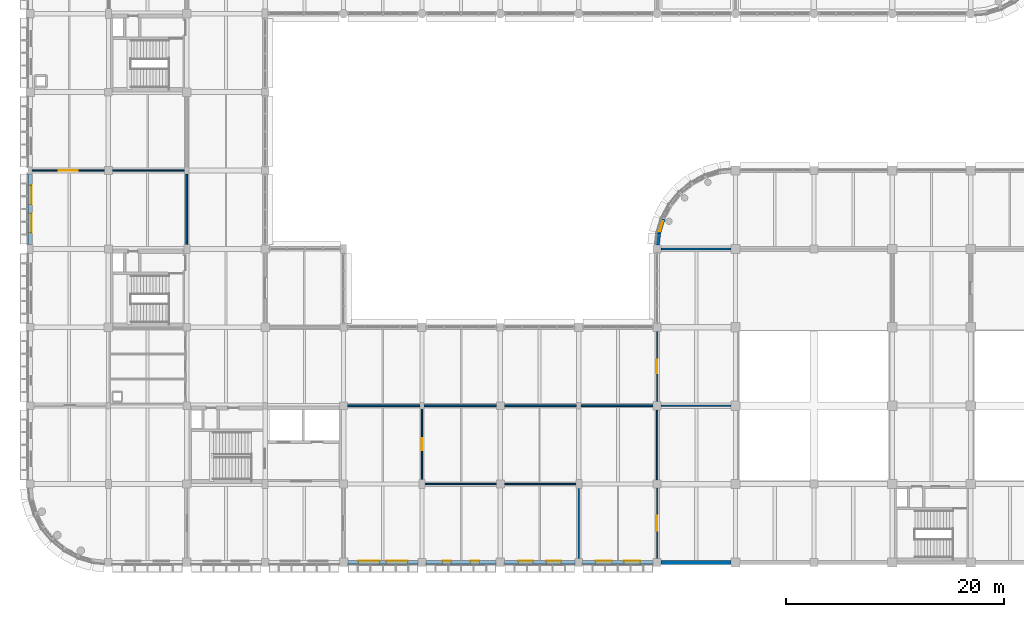
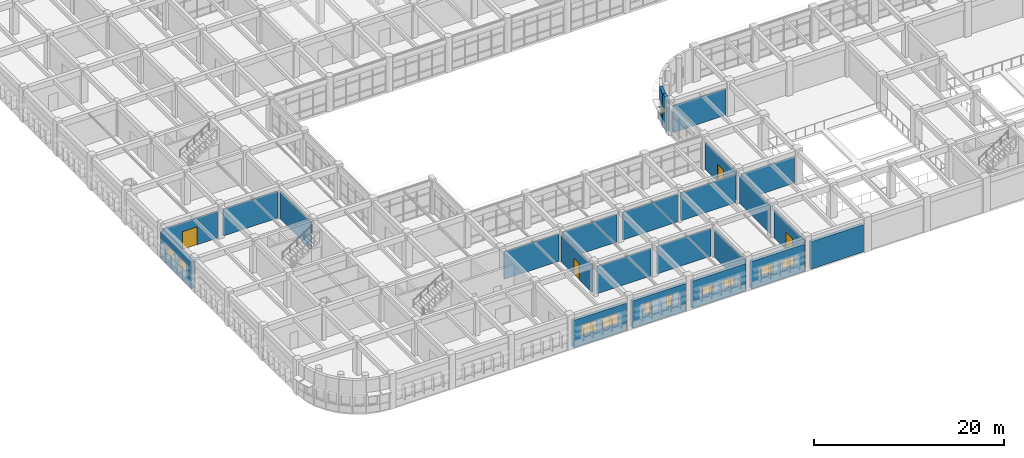
# One storey, part 149 of 171: 24 walls, 11 windows, 4 doors, 15 openings.
"""IFC4 building model written with IfcOpenShell, lengths in metres."""

from ifc_helpers import new_model, si_unit, direction, frame, frame_2d, origin, place, context, subcontext, project, spatial, rectangle, extrude, material, layer, layer_set, type_object, element, fill, save


model = new_model("IFC4")

# Units and contexts
model_context = context("Model", 3, precision=1e-05, world=origin(), true_north=direction((0.0, 1.0)))
body_context = subcontext(model_context, "Body", "Model", "MODEL_VIEW")
ifc_project = project(units=[si_unit("LENGTHUNIT", "METRE"), si_unit("AREAUNIT", "SQUARE_METRE"), si_unit("VOLUMEUNIT", "CUBIC_METRE"), si_unit("PLANEANGLEUNIT", "RADIAN"), si_unit("MASSUNIT", "GRAM", prefix="KILO")], contexts=[model_context])

# Site, building, storey
site_placement = place(None, origin())
site = spatial("IfcSite", under=ifc_project, at=site_placement, CompositionType="ELEMENT")
building_placement = place(site_placement, origin())
building = spatial("IfcBuilding", under=site, at=building_placement, Name="Thalmaran Polytechnic", CompositionType="ELEMENT")
storey_placement = place(building_placement, frame((0.0, 0.0, 5.39990234375)))
storey = spatial("IfcBuildingStorey", under=building, at=storey_placement, Name="L01", CompositionType="ELEMENT", Elevation=5.39990234375)

# Wall, openings, windows
ifc_material_1 = material(Name="Precast concrete C40/50", Category="concrete")
ifc_layer_1 = layer(ifc_material_1, 0.360107421875, Name="Precast concrete C40/50")
ifc_layer_set_1 = layer_set([ifc_layer_1], Name="Precast concrete C40/50")
wall_type_1 = type_object("IfcWallType", Name="WL-EW01", PredefinedType="STANDARD", material=ifc_layer_set_1)
wall_1_placement = place(storey_placement, frame((0.0, 29.22509765625, 0.0), z_axis=(0.0, 0.0, 1.0), x_axis=(0.0, 1.0, 0.0)))
wall_1 = element("IfcWall", 1, at=wall_1_placement, inside=storey, type_object=wall_type_1, Name="Exterior Precast Facade Wall L01-005", PredefinedType="STANDARD", context=body_context, shape_type="SweptSolid", body=[
    extrude(rectangle(XDim=6.474853515625, YDim=0.360107421875, at=frame_2d((3.2373046875, 0.0))), origin(), (0.0, 0.0, 1.0), 3.455078125),
])
opening_1_placement = place(wall_1_placement, frame((1.0673828125, 0.0, 1.14990234375)))
opening_1 = element("IfcOpeningElement", 2, at=opening_1_placement, cuts=wall_1, Name="Opening VW08", PredefinedType="OPENING", context=body_context, shape_type="SweptSolid", body=[
    extrude(rectangle(XDim=1.75, YDim=1.39990234375, at=frame_2d((0.875, 0.699951171875))), frame((0.0, 0.18994140625, 0.0), z_axis=(0.0, -1.0, 0.0), x_axis=(1.0, 0.0, 0.0)), (0.0, 0.0, 1.0), 0.380126953125),
])
opening_2_placement = place(wall_1_placement, frame((3.657470703125, 0.0, 1.14990234375)))
opening_2 = element("IfcOpeningElement", 3, at=opening_2_placement, cuts=wall_1, Name="Opening VW08", PredefinedType="OPENING", context=body_context, shape_type="SweptSolid", body=[
    extrude(rectangle(XDim=1.75, YDim=1.39990234375, at=frame_2d((0.875, 0.699951171875))), frame((0.0, 0.18994140625, 0.0), z_axis=(0.0, -1.0, 0.0), x_axis=(1.0, 0.0, 0.0)), (0.0, 0.0, 1.0), 0.380126953125),
])
ifc_material_2 = material(Name="Thermally broken aluminium and double low-E glass", Category="aluminium")
window_type_1 = type_object("IfcWindowType", Name="WN-VZ08", PartitioningType="SINGLE_PANEL", PredefinedType="WINDOW", material=ifc_material_2)
window_1_placement = place(opening_1_placement, origin())
window_1 = element("IfcWindow", 4, at=window_1_placement, inside=storey, type_object=window_type_1, Name="Deep-Set Solar-Screened Window W-0090", OverallHeight=1.39990234375, OverallWidth=1.75, PartitioningType="SINGLE_PANEL", PredefinedType="WINDOW", context=body_context, shape_type="SweptSolid", body=[
    extrude(rectangle(XDim=1.75, YDim=1.39990234375, at=frame_2d((0.875, 0.699951171875))), frame((0.0, -0.080078125, 0.0), z_axis=(0.0, -1.0, 0.0), x_axis=(1.0, 0.0, 0.0)), (0.0, 0.0, 1.0), 0.06005859375),
])
fill(opening_1, window_1)
window_2_placement = place(opening_2_placement, origin())
window_2 = element("IfcWindow", 5, at=window_2_placement, inside=storey, type_object=window_type_1, Name="Deep-Set Solar-Screened Window W-0091", OverallHeight=1.39990234375, OverallWidth=1.75, PartitioningType="SINGLE_PANEL", PredefinedType="WINDOW", context=body_context, shape_type="SweptSolid", body=[
    extrude(rectangle(XDim=1.75, YDim=1.39990234375, at=frame_2d((0.875, 0.699951171875))), frame((0.0, -0.080078125, 0.0), z_axis=(0.0, -1.0, 0.0), x_axis=(1.0, 0.0, 0.0)), (0.0, 0.0, 1.0), 0.06005859375),
])
fill(opening_2, window_2)

# Wall
wall_2_placement = place(storey_placement, frame((64.375, 0.0, 0.0), z_axis=(0.0, 0.0, 1.0), x_axis=(-1.0, 0.0, 0.0)))
element("IfcWall", 6, at=wall_2_placement, inside=storey, type_object=wall_type_1, Name="Exterior Precast Facade Wall L01-084", PredefinedType="STANDARD", context=body_context, shape_type="SweptSolid", body=[
    extrude(rectangle(XDim=6.39990234375, YDim=0.360107421875, at=frame_2d((3.199951171875, 0.0))), origin(), (0.0, 0.0, 1.0), 3.489990234375),
])

# Wall, openings, windows
wall_3_placement = place(storey_placement, frame((57.22509765625, 0.0, 0.0), z_axis=(0.0, 0.0, 1.0), x_axis=(-1.0, 0.0, 0.0)))
wall_3 = element("IfcWall", 7, at=wall_3_placement, inside=storey, type_object=wall_type_1, Name="Exterior Precast Facade Wall L01-085", PredefinedType="STANDARD", context=body_context, shape_type="SweptSolid", body=[
    extrude(rectangle(XDim=6.47509765625, YDim=0.360107421875, at=frame_2d((3.237548828125, 0.0))), origin(), (0.0, 0.0, 1.0), 3.489990234375),
])
opening_3_placement = place(wall_3_placement, frame((1.1923828125, 0.0, 1.14990234375)))
opening_3 = element("IfcOpeningElement", 8, at=opening_3_placement, cuts=wall_3, Name="Opening PW14", PredefinedType="OPENING", context=body_context, shape_type="SweptSolid", body=[
    extrude(rectangle(XDim=1.5, YDim=1.199951171875, at=frame_2d((0.75, 0.60009765625))), frame((0.0, 0.18994140625, 0.0), z_axis=(0.0, -1.0, 0.0), x_axis=(1.0, 0.0, 0.0)), (0.0, 0.0, 1.0), 0.380126953125),
])
opening_4_placement = place(wall_3_placement, frame((3.782470703125, 0.0, 1.14990234375)))
opening_4 = element("IfcOpeningElement", 9, at=opening_4_placement, cuts=wall_3, Name="Opening PW14", PredefinedType="OPENING", context=body_context, shape_type="SweptSolid", body=[
    extrude(rectangle(XDim=1.5, YDim=1.199951171875, at=frame_2d((0.75, 0.60009765625))), frame((0.0, 0.18994140625, 0.0), z_axis=(0.0, -1.0, 0.0), x_axis=(1.0, 0.0, 0.0)), (0.0, 0.0, 1.0), 0.380126953125),
])
window_type_2 = type_object("IfcWindowType", Name="WN-PW04", PartitioningType="DOUBLE_PANEL_VERTICAL", PredefinedType="WINDOW", material=ifc_material_2)
window_3_placement = place(opening_3_placement, origin())
window_3 = element("IfcWindow", 10, at=window_3_placement, inside=storey, type_object=window_type_2, Name="Deep-Set Solar-Screened Window W-0141", OverallHeight=1.199951171875, OverallWidth=1.5, PartitioningType="SINGLE_PANEL", PredefinedType="WINDOW", context=body_context, shape_type="SweptSolid", body=[
    extrude(rectangle(XDim=1.5, YDim=1.199951171875, at=frame_2d((0.75, 0.60009765625))), frame((0.0, -0.080078125, 0.0), z_axis=(0.0, -1.0, 0.0), x_axis=(1.0, 0.0, 0.0)), (0.0, 0.0, 1.0), 0.06005859375),
])
fill(opening_3, window_3)
window_4_placement = place(opening_4_placement, origin())
window_4 = element("IfcWindow", 11, at=window_4_placement, inside=storey, type_object=window_type_2, Name="Deep-Set Solar-Screened Window W-0142", OverallHeight=1.199951171875, OverallWidth=1.5, PartitioningType="SINGLE_PANEL", PredefinedType="WINDOW", context=body_context, shape_type="SweptSolid", body=[
    extrude(rectangle(XDim=1.5, YDim=1.199951171875, at=frame_2d((0.75, 0.60009765625))), frame((0.0, -0.080078125, 0.0), z_axis=(0.0, -1.0, 0.0), x_axis=(1.0, 0.0, 0.0)), (0.0, 0.0, 1.0), 0.06005859375),
])
fill(opening_4, window_4)

wall_4_placement = place(storey_placement, frame((50.050048828125, 0.0, 0.0), z_axis=(0.0, 0.0, 1.0), x_axis=(-1.0, 0.0, 0.0)))
wall_4 = element("IfcWall", 12, at=wall_4_placement, inside=storey, type_object=wall_type_1, Name="Exterior Precast Facade Wall L01-086", PredefinedType="STANDARD", context=body_context, shape_type="SweptSolid", body=[
    extrude(rectangle(XDim=6.4599609375, YDim=0.360107421875, at=frame_2d((3.22998046875, 0.0))), origin(), (0.0, 0.0, 1.0), 3.489990234375),
])
opening_5_placement = place(wall_4_placement, frame((1.262939453125, 0.0, 1.14990234375)))
opening_5 = element("IfcOpeningElement", 13, at=opening_5_placement, cuts=wall_4, Name="Opening PW15", PredefinedType="OPENING", context=body_context, shape_type="SweptSolid", body=[
    extrude(rectangle(XDim=1.35009765625, YDim=1.10009765625, at=frame_2d((0.675048828125, 0.550048828125))), frame((0.0, 0.18994140625, 0.0), z_axis=(0.0, -1.0, 0.0), x_axis=(1.0, 0.0, 0.0)), (0.0, 0.0, 1.0), 0.380126953125),
])
opening_6_placement = place(wall_4_placement, frame((3.846923828125, 0.0, 1.14990234375)))
opening_6 = element("IfcOpeningElement", 14, at=opening_6_placement, cuts=wall_4, Name="Opening PW15", PredefinedType="OPENING", context=body_context, shape_type="SweptSolid", body=[
    extrude(rectangle(XDim=1.35009765625, YDim=1.10009765625, at=frame_2d((0.675048828125, 0.550048828125))), frame((0.0, 0.18994140625, 0.0), z_axis=(0.0, -1.0, 0.0), x_axis=(1.0, 0.0, 0.0)), (0.0, 0.0, 1.0), 0.380126953125),
])
window_type_3 = type_object("IfcWindowType", Name="WN-PW05", PartitioningType="SINGLE_PANEL", PredefinedType="WINDOW", material=ifc_material_2)
window_5_placement = place(opening_5_placement, origin())
window_5 = element("IfcWindow", 15, at=window_5_placement, inside=storey, type_object=window_type_3, Name="Deep-Set Solar-Screened Window W-0143", OverallHeight=1.10009765625, OverallWidth=1.35009765625, PartitioningType="SINGLE_PANEL", PredefinedType="WINDOW", context=body_context, shape_type="SweptSolid", body=[
    extrude(rectangle(XDim=1.35009765625, YDim=1.10009765625, at=frame_2d((0.675048828125, 0.550048828125))), frame((0.0, -0.080078125, 0.0), z_axis=(0.0, -1.0, 0.0), x_axis=(1.0, 0.0, 0.0)), (0.0, 0.0, 1.0), 0.06005859375),
])
fill(opening_5, window_5)
window_6_placement = place(opening_6_placement, origin())
window_6 = element("IfcWindow", 16, at=window_6_placement, inside=storey, type_object=window_type_3, Name="Deep-Set Solar-Screened Window W-0144", OverallHeight=1.10009765625, OverallWidth=1.35009765625, PartitioningType="SINGLE_PANEL", PredefinedType="WINDOW", context=body_context, shape_type="SweptSolid", body=[
    extrude(rectangle(XDim=1.35009765625, YDim=1.10009765625, at=frame_2d((0.675048828125, 0.550048828125))), frame((0.0, -0.080078125, 0.0), z_axis=(0.0, -1.0, 0.0), x_axis=(1.0, 0.0, 0.0)), (0.0, 0.0, 1.0), 0.06005859375),
])
fill(opening_6, window_6)

wall_5_placement = place(storey_placement, frame((42.81005859375, 0.0, 0.0), z_axis=(0.0, 0.0, 1.0), x_axis=(-1.0, 0.0, 0.0)))
wall_5 = element("IfcWall", 17, at=wall_5_placement, inside=storey, type_object=wall_type_1, Name="Exterior Precast Facade Wall L01-087", PredefinedType="STANDARD", context=body_context, shape_type="SweptSolid", body=[
    extrude(rectangle(XDim=6.4599609375, YDim=0.360107421875, at=frame_2d((3.22998046875, 0.0))), origin(), (0.0, 0.0, 1.0), 3.489990234375),
])
opening_7_placement = place(wall_5_placement, frame((1.5380859375, 0.0, 1.14990234375)))
opening_7 = element("IfcOpeningElement", 18, at=opening_7_placement, cuts=wall_5, Name="Opening PW16", PredefinedType="OPENING", context=body_context, shape_type="SweptSolid", body=[
    extrude(rectangle(XDim=0.800048828125, YDim=1.5, at=frame_2d((0.39990234375, 0.75))), frame((0.0, 0.18994140625, 0.0), z_axis=(0.0, -1.0, 0.0), x_axis=(1.0, 0.0, 0.0)), (0.0, 0.0, 1.0), 0.380126953125),
])
opening_8_placement = place(wall_5_placement, frame((4.1220703125, 0.0, 1.14990234375)))
opening_8 = element("IfcOpeningElement", 19, at=opening_8_placement, cuts=wall_5, Name="Opening PW16", PredefinedType="OPENING", context=body_context, shape_type="SweptSolid", body=[
    extrude(rectangle(XDim=0.800048828125, YDim=1.5, at=frame_2d((0.39990234375, 0.75))), frame((0.0, 0.18994140625, 0.0), z_axis=(0.0, -1.0, 0.0), x_axis=(1.0, 0.0, 0.0)), (0.0, 0.0, 1.0), 0.380126953125),
])
window_type_4 = type_object("IfcWindowType", Name="WN-PW06", PartitioningType="SINGLE_PANEL", PredefinedType="WINDOW", material=ifc_material_2)
window_7_placement = place(opening_7_placement, origin())
window_7 = element("IfcWindow", 20, at=window_7_placement, inside=storey, type_object=window_type_4, Name="Deep-Set Solar-Screened Window W-0145", OverallHeight=1.5, OverallWidth=0.800048828125, PartitioningType="SINGLE_PANEL", PredefinedType="WINDOW", context=body_context, shape_type="SweptSolid", body=[
    extrude(rectangle(XDim=0.800048828125, YDim=1.5, at=frame_2d((0.39990234375, 0.75))), frame((0.0, -0.080078125, 0.0), z_axis=(0.0, -1.0, 0.0), x_axis=(1.0, 0.0, 0.0)), (0.0, 0.0, 1.0), 0.06005859375),
])
fill(opening_7, window_7)
window_8_placement = place(opening_8_placement, origin())
window_8 = element("IfcWindow", 21, at=window_8_placement, inside=storey, type_object=window_type_4, Name="Deep-Set Solar-Screened Window W-0146", OverallHeight=1.5, OverallWidth=0.800048828125, PartitioningType="SINGLE_PANEL", PredefinedType="WINDOW", context=body_context, shape_type="SweptSolid", body=[
    extrude(rectangle(XDim=0.800048828125, YDim=1.5, at=frame_2d((0.39990234375, 0.75))), frame((0.0, -0.080078125, 0.0), z_axis=(0.0, -1.0, 0.0), x_axis=(1.0, 0.0, 0.0)), (0.0, 0.0, 1.0), 0.06005859375),
])
fill(opening_8, window_8)

wall_6_placement = place(storey_placement, frame((35.64990234375, 0.0, 0.0), z_axis=(0.0, 0.0, 1.0), x_axis=(-1.0, 0.0, 0.0)))
wall_6 = element("IfcWall", 22, at=wall_6_placement, inside=storey, type_object=wall_type_1, Name="Exterior Precast Facade Wall L01-088", PredefinedType="STANDARD", context=body_context, shape_type="SweptSolid", body=[
    extrude(rectangle(XDim=6.4599609375, YDim=0.360107421875, at=frame_2d((3.22998046875, 0.0))), origin(), (0.0, 0.0, 1.0), 3.489990234375),
])
opening_9_placement = place(wall_6_placement, frame((0.962890625, 0.0, 1.14990234375)))
opening_9 = element("IfcOpeningElement", 23, at=opening_9_placement, cuts=wall_6, Name="Opening VW07", PredefinedType="OPENING", context=body_context, shape_type="SweptSolid", body=[
    extrude(rectangle(XDim=1.949951171875, YDim=1.39990234375, at=frame_2d((0.97509765625, 0.699951171875))), frame((0.0, 0.18994140625, 0.0), z_axis=(0.0, -1.0, 0.0), x_axis=(1.0, 0.0, 0.0)), (0.0, 0.0, 1.0), 0.380126953125),
])
opening_10_placement = place(wall_6_placement, frame((3.547119140625, 0.0, 1.14990234375)))
opening_10 = element("IfcOpeningElement", 24, at=opening_10_placement, cuts=wall_6, Name="Opening VW07", PredefinedType="OPENING", context=body_context, shape_type="SweptSolid", body=[
    extrude(rectangle(XDim=1.949951171875, YDim=1.39990234375, at=frame_2d((0.97509765625, 0.699951171875))), frame((0.0, 0.18994140625, 0.0), z_axis=(0.0, -1.0, 0.0), x_axis=(1.0, 0.0, 0.0)), (0.0, 0.0, 1.0), 0.380126953125),
])
window_type_5 = type_object("IfcWindowType", Name="WN-VZ07", PartitioningType="SINGLE_PANEL", PredefinedType="WINDOW", material=ifc_material_2)
window_9_placement = place(opening_9_placement, origin())
window_9 = element("IfcWindow", 25, at=window_9_placement, inside=storey, type_object=window_type_5, Name="Deep-Set Solar-Screened Window W-0147", OverallHeight=1.39990234375, OverallWidth=1.949951171875, PartitioningType="SINGLE_PANEL", PredefinedType="WINDOW", context=body_context, shape_type="SweptSolid", body=[
    extrude(rectangle(XDim=1.949951171875, YDim=1.39990234375, at=frame_2d((0.97509765625, 0.699951171875))), frame((0.0, -0.080078125, 0.0), z_axis=(0.0, -1.0, 0.0), x_axis=(1.0, 0.0, 0.0)), (0.0, 0.0, 1.0), 0.06005859375),
])
fill(opening_9, window_9)
window_10_placement = place(opening_10_placement, origin())
window_10 = element("IfcWindow", 26, at=window_10_placement, inside=storey, type_object=window_type_5, Name="Deep-Set Solar-Screened Window W-0148", OverallHeight=1.39990234375, OverallWidth=1.949951171875, PartitioningType="SINGLE_PANEL", PredefinedType="WINDOW", context=body_context, shape_type="SweptSolid", body=[
    extrude(rectangle(XDim=1.949951171875, YDim=1.39990234375, at=frame_2d((0.97509765625, 0.699951171875))), frame((0.0, -0.080078125, 0.0), z_axis=(0.0, -1.0, 0.0), x_axis=(1.0, 0.0, 0.0)), (0.0, 0.0, 1.0), 0.06005859375),
])
fill(opening_10, window_10)

# Wall
wall_7_placement = place(storey_placement, frame((57.63671875, 29.173095703125, 0.0), z_axis=(0.0, 0.0, 1.0), x_axis=(0.097987704654, 0.995187625394, 0.0)))
element("IfcWall", 27, at=wall_7_placement, inside=storey, type_object=wall_type_1, Name="Exterior Precast Facade Wall L01-180", PredefinedType="STANDARD", context=body_context, shape_type="SweptSolid", body=[
    extrude(rectangle(XDim=1.036376953125, YDim=0.360107421875, at=frame_2d((0.51806640625, 0.0))), origin(), (0.0, 0.0, 1.0), 4.210205078125),
])

# Wall, opening, window
wall_8_placement = place(storey_placement, frame((57.73828125, 30.20458984375, 0.0), z_axis=(0.0, 0.0, 1.0), x_axis=(0.290218599957, 0.95696037757, 0.0)))
wall_8 = element("IfcWall", 28, at=wall_8_placement, inside=storey, type_object=wall_type_1, Name="Exterior Precast Facade Wall L01-181", PredefinedType="STANDARD", context=body_context, shape_type="SweptSolid", body=[
    extrude(rectangle(XDim=1.41162109375, YDim=0.360107421875, at=frame_2d((0.705810546875, 0.0))), origin(), (0.0, 0.0, 1.0), 4.210205078125),
])
opening_11_placement = place(wall_8_placement, frame((0.2255859375, 0.0, 1.0)))
opening_11 = element("IfcOpeningElement", 29, at=opening_11_placement, cuts=wall_8, Name="Opening CR01", PredefinedType="OPENING", context=body_context, shape_type="SweptSolid", body=[
    extrude(rectangle(XDim=0.9599609375, YDim=1.39990234375, at=frame_2d((0.47998046875, 0.699951171875))), frame((0.0, 0.18994140625, 0.0), z_axis=(0.0, -1.0, 0.0), x_axis=(1.0, 0.0, 0.0)), (0.0, 0.0, 1.0), 0.380126953125),
])
window_type_6 = type_object("IfcWindowType", Name="WN-CR01", PartitioningType="SINGLE_PANEL", PredefinedType="WINDOW", material=ifc_material_2)
window_11_placement = place(opening_11_placement, origin())
window_11 = element("IfcWindow", 30, at=window_11_placement, inside=storey, type_object=window_type_6, Name="Curved Prow Ribbon Window W-0173", OverallHeight=1.39990234375, OverallWidth=0.9599609375, PartitioningType="SINGLE_PANEL", PredefinedType="WINDOW", context=body_context, shape_type="SweptSolid", body=[
    extrude(rectangle(XDim=0.9599609375, YDim=1.39990234375, at=frame_2d((0.47998046875, 0.699951171875))), frame((0.0, -0.010009765625, 0.0), z_axis=(0.0, -1.0, 0.0), x_axis=(1.0, 0.0, 0.0)), (0.0, 0.0, 1.0), 0.06005859375),
])
fill(opening_11, window_11)

# Walls
ifc_material_3 = material(Name="Gypsum acoustic partition")
ifc_layer_2 = layer(ifc_material_3, 0.159912109375, Name="Gypsum acoustic partition")
ifc_layer_set_2 = layer_set([ifc_layer_2], Name="Gypsum acoustic partition")
wall_type_2 = type_object("IfcWallType", Name="WL-IW05", PredefinedType="PARTITIONING", material=ifc_layer_set_2)
wall_9_placement = place(storey_placement, frame((14.39990234375, 29.22998046875, 0.0), z_axis=(0.0, 0.0, 1.0), x_axis=(0.0, 1.0, 0.0)))
element("IfcWall", 31, at=wall_9_placement, inside=storey, type_object=wall_type_2, Name="Interior Partition IW05 L01-011", PredefinedType="PARTITIONING", context=body_context, shape_type="SweptSolid", body=[
    extrude(rectangle(XDim=6.465087890625, YDim=0.159912109375, at=frame_2d((3.232421875, 0.0))), origin(), (0.0, 0.0, 1.0), 3.51513671875),
])
wall_10_placement = place(storey_placement, frame((29.1650390625, 14.39990234375, 0.0), z_axis=(0.0, 0.0, 1.0), x_axis=(1.0, 0.0, 0.0)))
element("IfcWall", 32, at=wall_10_placement, inside=storey, type_object=wall_type_2, Name="Interior Partition IW05 L01-041", PredefinedType="PARTITIONING", context=body_context, shape_type="SweptSolid", body=[
    extrude(rectangle(XDim=6.6298828125, YDim=0.159912109375, at=frame_2d((3.31494140625, 0.0))), origin(), (0.0, 0.0, 1.0), 3.510009765625),
])
wall_11_placement = place(storey_placement, frame((36.205078125, 14.39990234375, 0.0), z_axis=(0.0, 0.0, 1.0), x_axis=(1.0, 0.0, 0.0)))
element("IfcWall", 33, at=wall_11_placement, inside=storey, type_object=wall_type_2, Name="Interior Partition IW05 L01-046", PredefinedType="PARTITIONING", context=body_context, shape_type="SweptSolid", body=[
    extrude(rectangle(XDim=6.6298828125, YDim=0.159912109375, at=frame_2d((3.31494140625, 0.0))), origin(), (0.0, 0.0, 1.0), 3.550048828125),
])
wall_12_placement = place(storey_placement, frame((43.56494140625, 14.39990234375, 0.0), z_axis=(0.0, 0.0, 1.0), x_axis=(1.0, 0.0, 0.0)))
element("IfcWall", 34, at=wall_12_placement, inside=storey, type_object=wall_type_2, Name="Interior Partition IW05 L01-054", PredefinedType="PARTITIONING", context=body_context, shape_type="SweptSolid", body=[
    extrude(rectangle(XDim=6.630126953125, YDim=0.159912109375, at=frame_2d((3.31494140625, 0.0))), origin(), (0.0, 0.0, 1.0), 3.56005859375),
])
wall_13_placement = place(storey_placement, frame((50.60498046875, 14.39990234375, 0.0), z_axis=(0.0, 0.0, 1.0), x_axis=(1.0, 0.0, 0.0)))
element("IfcWall", 35, at=wall_13_placement, inside=storey, type_object=wall_type_2, Name="Interior Partition IW05 L01-063", PredefinedType="PARTITIONING", context=body_context, shape_type="SweptSolid", body=[
    extrude(rectangle(XDim=6.614990234375, YDim=0.159912109375, at=frame_2d((3.3076171875, 0.0))), origin(), (0.0, 0.0, 1.0), 3.570068359375),
])

# Wall, opening, door
wall_14_placement = place(storey_placement, frame((57.60009765625, 14.780029296875, 0.0), z_axis=(0.0, 0.0, 1.0), x_axis=(0.0, 1.0, 0.0)))
wall_14 = element("IfcWall", 36, at=wall_14_placement, inside=storey, type_object=wall_type_2, Name="Interior Partition IW05 L01-064", PredefinedType="PARTITIONING", context=body_context, shape_type="SweptSolid", body=[
    extrude(rectangle(XDim=6.43994140625, YDim=0.159912109375, at=frame_2d((3.219970703125, 0.0))), origin(), (0.0, 0.0, 1.0), 3.52001953125),
])
opening_12_placement = place(wall_14_placement, frame((2.580078125, 0.0, 0.0)))
opening_12 = element("IfcOpeningElement", 37, at=opening_12_placement, cuts=wall_14, Name="Opening D-L01-042-3-04-1", PredefinedType="OPENING", context=body_context, shape_type="SweptSolid", body=[
    extrude(rectangle(XDim=1.280029296875, YDim=2.239990234375, at=frame_2d((0.64013671875, 1.1201171875))), frame((0.0, 0.08984375, 0.0), z_axis=(0.0, -1.0, 0.0), x_axis=(1.0, 0.0, 0.0)), (0.0, 0.0, 1.0), 0.179931640625),
])
ifc_material_4 = material(Name="Powder-coated fire-rated steel", Category="steel")
door_type_1 = type_object("IfcDoorType", Name="DR-ZD10", OperationType="NOTDEFINED", PredefinedType="DOOR", material=ifc_material_4)
door_1_placement = place(opening_12_placement, origin())
door_1 = element("IfcDoor", 38, at=door_1_placement, inside=storey, type_object=door_type_1, Name="Audio-Visual Control Room L01-04 Door 1", OperationType="SINGLE_SWING_LEFT", OverallHeight=2.239990234375, OverallWidth=1.280029296875, PredefinedType="DOOR", context=body_context, shape_type="SweptSolid", body=[
    extrude(rectangle(XDim=1.280029296875, YDim=2.239990234375, at=frame_2d((0.64013671875, 1.1201171875))), frame((0.0, 0.02490234375, 0.0), z_axis=(0.0, -1.0, 0.0), x_axis=(1.0, 0.0, 0.0)), (0.0, 0.0, 1.0), 0.050048828125),
])
fill(opening_12, door_1)

# Wall
wall_15_placement = place(storey_placement, frame((57.97998046875, 28.800048828125, 0.0), z_axis=(0.0, 0.0, 1.0), x_axis=(1.0, 0.0, 0.0)))
element("IfcWall", 39, at=wall_15_placement, inside=storey, type_object=wall_type_2, Name="Interior Partition IW05 L01-070", PredefinedType="PARTITIONING", context=body_context, shape_type="SweptSolid", body=[
    extrude(rectangle(XDim=6.39013671875, YDim=0.159912109375, at=frame_2d((3.195068359375, 0.0))), origin(), (0.0, 0.0, 1.0), 3.41015625),
])

# Wall, opening, door
ifc_layer_3 = layer(ifc_material_3, 0.1298828125, Name="Gypsum acoustic partition")
ifc_layer_set_3 = layer_set([ifc_layer_3], Name="Gypsum acoustic partition")
wall_type_3 = type_object("IfcWallType", Name="WL-IW07", PredefinedType="PARTITIONING", material=ifc_layer_set_3)
wall_16_placement = place(storey_placement, frame((0.205078125, 36.0, 0.0), z_axis=(0.0, 0.0, 1.0), x_axis=(1.0, 0.0, 0.0)))
wall_16 = element("IfcWall", 40, at=wall_16_placement, inside=storey, type_object=wall_type_3, Name="Interior Partition IW07 L01-002", PredefinedType="PARTITIONING", context=body_context, shape_type="SweptSolid", body=[
    extrude(rectangle(XDim=6.6298828125, YDim=0.1298828125, at=frame_2d((3.31494140625, 0.0))), origin(), (0.0, 0.0, 1.0), 3.460205078125),
])
opening_13_placement = place(wall_16_placement, frame((2.43505859375, 0.0, 0.0)))
opening_13 = element("IfcOpeningElement", 41, at=opening_13_placement, cuts=wall_16, Name="Opening D-L01-010-1-06-1", PredefinedType="OPENING", context=body_context, shape_type="SweptSolid", body=[
    extrude(rectangle(XDim=1.760009765625, YDim=2.300048828125, at=frame_2d((0.8798828125, 1.14990234375))), frame((0.0, 0.074951171875, 0.0), z_axis=(0.0, -1.0, 0.0), x_axis=(1.0, 0.0, 0.0)), (0.0, 0.0, 1.0), 0.14990234375),
])
ifc_material_5 = material(Name="Acoustic hardwood and vision glass", Category="wood")
door_type_2 = type_object("IfcDoorType", Name="DR-ZD02", OperationType="NOTDEFINED", PredefinedType="DOOR", material=ifc_material_5)
door_2_placement = place(opening_13_placement, origin())
door_2 = element("IfcDoor", 42, at=door_2_placement, inside=storey, type_object=door_type_2, Name="Environmental Engineering Laboratory L01-06 Door 1", OperationType="SINGLE_SWING_LEFT", OverallHeight=2.300048828125, OverallWidth=1.760009765625, PredefinedType="DOOR", context=body_context, shape_type="SweptSolid", body=[
    extrude(rectangle(XDim=1.760009765625, YDim=2.300048828125, at=frame_2d((0.8798828125, 1.14990234375))), frame((0.0, 0.02490234375, 0.0), z_axis=(0.0, -1.0, 0.0), x_axis=(1.0, 0.0, 0.0)), (0.0, 0.0, 1.0), 0.050048828125),
])
fill(opening_13, door_2)

# Wall
wall_17_placement = place(storey_placement, frame((7.56494140625, 36.0, 0.0), z_axis=(0.0, 0.0, 1.0), x_axis=(1.0, 0.0, 0.0)))
element("IfcWall", 43, at=wall_17_placement, inside=storey, type_object=wall_type_3, Name="Interior Partition IW07 L01-012", PredefinedType="PARTITIONING", context=body_context, shape_type="SweptSolid", body=[
    extrude(rectangle(XDim=6.630126953125, YDim=0.1298828125, at=frame_2d((3.31494140625, 0.0))), origin(), (0.0, 0.0, 1.0), 3.47021484375),
])

# Wall, opening, door
wall_18_placement = place(storey_placement, frame((36.0, 7.6298828125, 0.0), z_axis=(0.0, 0.0, 1.0), x_axis=(0.0, 1.0, 0.0)))
wall_18 = element("IfcWall", 44, at=wall_18_placement, inside=storey, type_object=wall_type_3, Name="Interior Partition IW07 L01-040", PredefinedType="PARTITIONING", context=body_context, shape_type="SweptSolid", body=[
    extrude(rectangle(XDim=6.465087890625, YDim=0.1298828125, at=frame_2d((3.232421875, 0.0))), origin(), (0.0, 0.0, 1.0), 3.525146484375),
])
opening_14_placement = place(wall_18_placement, frame((2.6826171875, 0.0, 0.0)))
opening_14 = element("IfcOpeningElement", 45, at=opening_14_placement, cuts=wall_18, Name="Opening D-L01-007-1-03-1", PredefinedType="OPENING", context=body_context, shape_type="SweptSolid", body=[
    extrude(rectangle(XDim=1.10009765625, YDim=2.14990234375, at=frame_2d((0.550048828125, 1.074951171875))), frame((0.0, 0.074951171875, 0.0), z_axis=(0.0, -1.0, 0.0), x_axis=(1.0, 0.0, 0.0)), (0.0, 0.0, 1.0), 0.14990234375),
])
door_type_3 = type_object("IfcDoorType", Name="DR-FD07", OperationType="NOTDEFINED", PredefinedType="DOOR", material=ifc_material_4)
door_3_placement = place(opening_14_placement, origin())
door_3 = element("IfcDoor", 46, at=door_3_placement, inside=storey, type_object=door_type_3, Name="Seminar Room L01-03 Door 1", OperationType="SINGLE_SWING_RIGHT", OverallHeight=2.14990234375, OverallWidth=1.10009765625, PredefinedType="DOOR", context=body_context, shape_type="SweptSolid", body=[
    extrude(rectangle(XDim=1.10009765625, YDim=2.14990234375, at=frame_2d((0.550048828125, 1.074951171875))), frame((0.0, 0.02490234375, 0.0), z_axis=(0.0, -1.0, 0.0), x_axis=(1.0, 0.0, 0.0)), (0.0, 0.0, 1.0), 0.050048828125),
])
fill(opening_14, door_3)

# Walls
wall_19_placement = place(storey_placement, frame((50.39990234375, 0.35498046875, 0.0), z_axis=(0.0, 0.0, 1.0), x_axis=(0.0, 1.0, 0.0)))
element("IfcWall", 47, at=wall_19_placement, inside=storey, type_object=wall_type_3, Name="Interior Partition IW07 L01-052", PredefinedType="PARTITIONING", context=body_context, shape_type="SweptSolid", body=[
    extrude(rectangle(XDim=6.4150390625, YDim=0.1298828125, at=frame_2d((3.20751953125, 0.0))), origin(), (0.0, 0.0, 1.0), 3.525146484375),
])
wall_20_placement = place(storey_placement, frame((57.60009765625, 7.580078125, 0.0), z_axis=(0.0, 0.0, 1.0), x_axis=(0.0, 1.0, 0.0)))
element("IfcWall", 48, at=wall_20_placement, inside=storey, type_object=wall_type_3, Name="Interior Partition IW07 L01-062", PredefinedType="PARTITIONING", context=body_context, shape_type="SweptSolid", body=[
    extrude(rectangle(XDim=6.43994140625, YDim=0.1298828125, at=frame_2d((3.219970703125, 0.0))), origin(), (0.0, 0.0, 1.0), 3.525146484375),
])
ifc_layer_4 = layer(ifc_material_3, 0.114990234375, Name="Gypsum acoustic partition")
ifc_layer_set_4 = layer_set([ifc_layer_4], Name="Gypsum acoustic partition")
wall_type_4 = type_object("IfcWallType", Name="WL-IW08", PredefinedType="PARTITIONING", material=ifc_layer_set_4)
wall_21_placement = place(storey_placement, frame((36.280029296875, 7.199951171875, 0.0), z_axis=(0.0, 0.0, 1.0), x_axis=(1.0, 0.0, 0.0)))
element("IfcWall", 49, at=wall_21_placement, inside=storey, type_object=wall_type_4, Name="Interior Partition IW08 L01-045", PredefinedType="PARTITIONING", context=body_context, shape_type="SweptSolid", body=[
    extrude(rectangle(XDim=6.5400390625, YDim=0.114990234375, at=frame_2d((3.27001953125, 0.0))), origin(), (0.0, 0.0, 1.0), 3.550048828125),
])
wall_22_placement = place(storey_placement, frame((43.580078125, 7.199951171875, 0.0), z_axis=(0.0, 0.0, 1.0), x_axis=(1.0, 0.0, 0.0)))
element("IfcWall", 50, at=wall_22_placement, inside=storey, type_object=wall_type_4, Name="Interior Partition IW08 L01-053", PredefinedType="PARTITIONING", context=body_context, shape_type="SweptSolid", body=[
    extrude(rectangle(XDim=6.5400390625, YDim=0.114990234375, at=frame_2d((3.27001953125, 0.0))), origin(), (0.0, 0.0, 1.0), 3.56005859375),
])

# Wall, opening, door
wall_23_placement = place(storey_placement, frame((57.60009765625, 0.3798828125, 0.0), z_axis=(0.0, 0.0, 1.0), x_axis=(0.0, 1.0, 0.0)))
wall_23 = element("IfcWall", 51, at=wall_23_placement, inside=storey, type_object=wall_type_4, Name="Interior Partition IW08 L01-061", PredefinedType="PARTITIONING", context=body_context, shape_type="SweptSolid", body=[
    extrude(rectangle(XDim=6.440185546875, YDim=0.114990234375, at=frame_2d((3.22021484375, 0.0))), origin(), (0.0, 0.0, 1.0), 3.525146484375),
])
opening_15_placement = place(wall_23_placement, frame((2.530029296875, 0.0, 0.0)))
opening_15 = element("IfcOpeningElement", 52, at=opening_15_placement, cuts=wall_23, Name="Opening D-L01-039-3-01-1", PredefinedType="OPENING", context=body_context, shape_type="SweptSolid", body=[
    extrude(rectangle(XDim=1.3798828125, YDim=2.219970703125, at=frame_2d((0.68994140625, 1.10986328125))), frame((0.0, 0.0673828125, 0.0), z_axis=(0.0, -1.0, 0.0), x_axis=(1.0, 0.0, 0.0)), (0.0, 0.0, 1.0), 0.135009765625),
])
door_type_4 = type_object("IfcDoorType", Name="DR-ZD04", OperationType="NOTDEFINED", PredefinedType="DOOR", material=ifc_material_5)
door_4_placement = place(opening_15_placement, origin())
door_4 = element("IfcDoor", 53, at=door_4_placement, inside=storey, type_object=door_type_4, Name="Audio-Visual Control Room L01-01 Door 1", OperationType="SINGLE_SWING_RIGHT", OverallHeight=2.219970703125, OverallWidth=1.3798828125, PredefinedType="DOOR", context=body_context, shape_type="SweptSolid", body=[
    extrude(rectangle(XDim=1.3798828125, YDim=2.219970703125, at=frame_2d((0.68994140625, 1.10986328125))), frame((0.0, 0.02490234375, 0.0), z_axis=(0.0, -1.0, 0.0), x_axis=(1.0, 0.0, 0.0)), (0.0, 0.0, 1.0), 0.050048828125),
])
fill(opening_15, door_4)

# Wall
wall_24_placement = place(storey_placement, frame((57.97998046875, 14.39990234375, 0.0), z_axis=(0.0, 0.0, 1.0), x_axis=(1.0, 0.0, 0.0)))
element("IfcWall", 54, at=wall_24_placement, inside=storey, type_object=wall_type_4, Name="Interior Partition IW08 L01-069", PredefinedType="PARTITIONING", context=body_context, shape_type="SweptSolid", body=[
    extrude(rectangle(XDim=6.39013671875, YDim=0.114990234375, at=frame_2d((3.195068359375, 0.0))), origin(), (0.0, 0.0, 1.0), 3.41015625),
])

save(model, "model.ifc")
